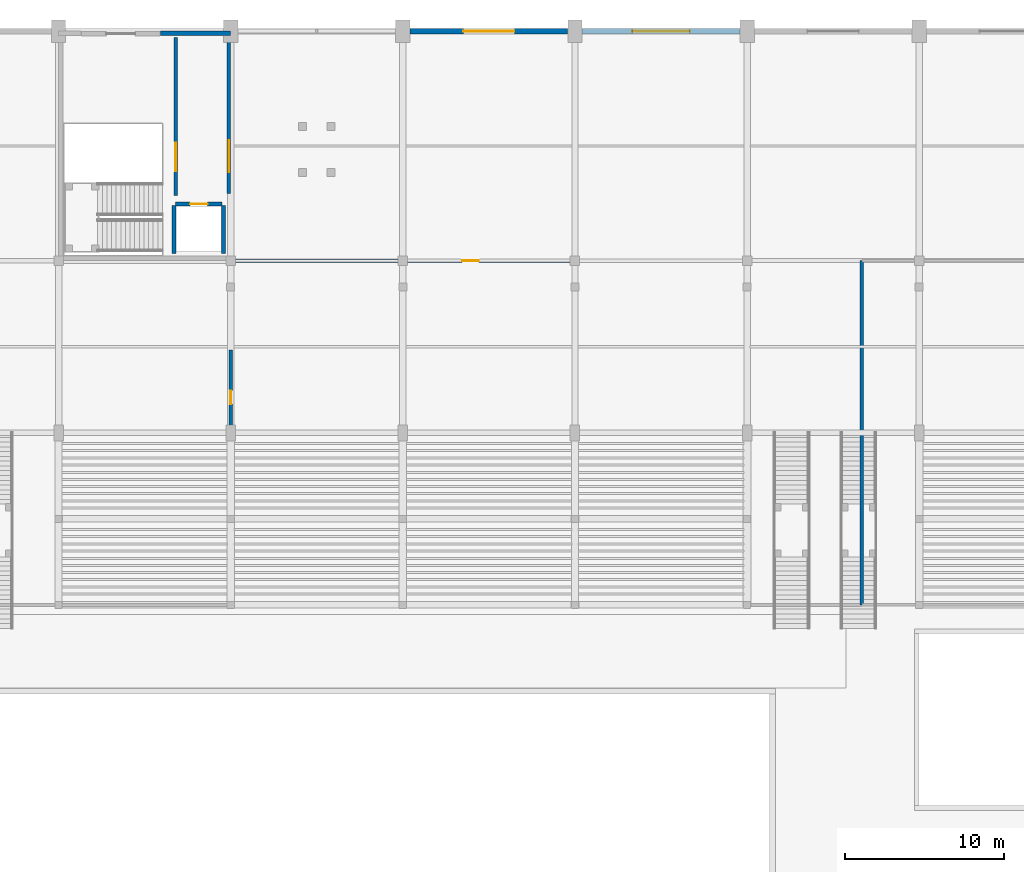
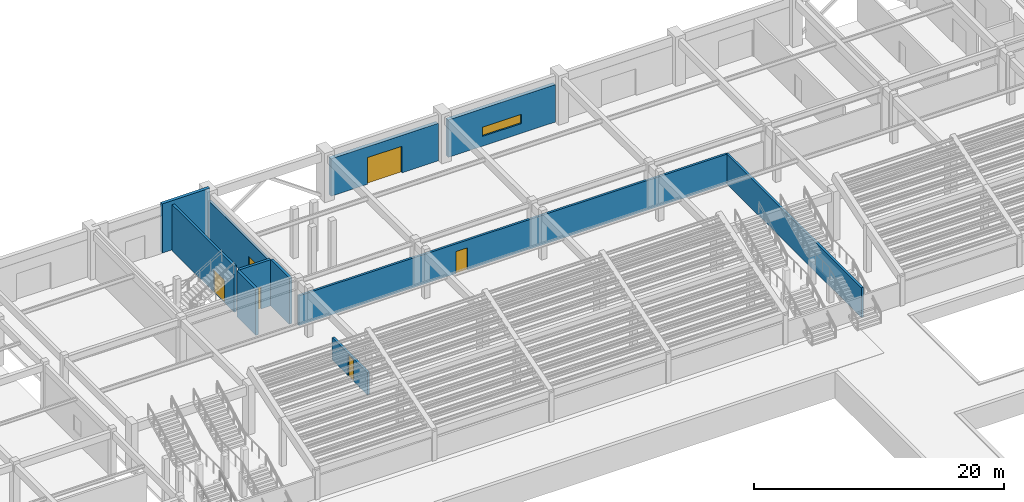
# One storey, part 55 of 82: 11 walls, 6 doors, 1 window, 7 openings.
"""IFC4 building model written with IfcOpenShell, lengths in metres."""

from ifc_helpers import new_model, si_unit, direction, frame, frame_2d, origin, place, context, subcontext, project, spatial, rectangle, extrude, material, layer, layer_set, type_object, element, fill, save


model = new_model("IFC4")

# Units and contexts
model_context = context("Model", 3, precision=1e-05, world=origin(), true_north=direction((0.0, 1.0)))
body_context = subcontext(model_context, "Body", "Model", "MODEL_VIEW")
ifc_project = project(units=[si_unit("LENGTHUNIT", "METRE"), si_unit("AREAUNIT", "SQUARE_METRE"), si_unit("VOLUMEUNIT", "CUBIC_METRE"), si_unit("PLANEANGLEUNIT", "RADIAN"), si_unit("MASSUNIT", "GRAM", prefix="KILO")], contexts=[model_context])

# Site, building, storey
site_placement = place(None, origin())
site = spatial("IfcSite", under=ifc_project, at=site_placement, CompositionType="ELEMENT")
building_placement = place(site_placement, origin())
building = spatial("IfcBuilding", under=site, at=building_placement, Name="Suirenkawa Promenade Aquatics Centre", CompositionType="ELEMENT")
storey_placement = place(building_placement, origin())
storey = spatial("IfcBuildingStorey", under=building, at=storey_placement, Name="L00", CompositionType="ELEMENT", Elevation=0.0)

# Wall, opening, door
ifc_material_1 = material(Name="Autoclaved aerated concrete blockwork Grade 1", Category="masonry")
ifc_layer_1 = layer(ifc_material_1, 0.199951171875, Name="Autoclaved aerated concrete blockwork Grade 1", Category="masonry")
ifc_layer_set_1 = layer_set([ifc_layer_1], Name="Autoclaved aerated concrete blockwork Grade 1")
wall_type_1 = type_object("IfcWallType", Name="WT-COMP-200", PredefinedType="PARTITIONING", material=ifc_layer_set_1)
wall_1_placement = place(storey_placement, frame((68.39990234375, 96.800048828125, 0.0), z_axis=(0.0, 0.0, 1.0), x_axis=(0.0, 1.0, 0.0)))
wall_1 = element("IfcWall", 1, at=wall_1_placement, inside=storey, type_object=wall_type_1, Name="Interior wall WL-PRT-01 W-7169", PredefinedType="PARTITIONING", context=body_context, shape_type="SweptSolid", body=[
    extrude(rectangle(XDim=5.599853515625, YDim=0.199951171875, at=frame_2d((2.7998046875, 0.0))), origin(), (0.0, 0.0, 1.0), 2.215087890625),
])
opening_1_placement = place(wall_1_placement, frame((2.199951171875, 0.0, 0.0)))
opening_1 = element("IfcOpeningElement", 2, at=opening_1_placement, cuts=wall_1, Name="Opening ID-13", PredefinedType="OPENING", context=body_context, shape_type="SweptSolid", body=[
    extrude(rectangle(XDim=0.85009765625, YDim=2.050048828125, at=frame_2d((0.425048828125, 1.02490234375))), frame((0.0, 0.10986328125, 0.0), z_axis=(0.0, -1.0, 0.0), x_axis=(1.0, 0.0, 0.0)), (0.0, 0.0, 1.0), 0.219970703125),
])
ifc_material_2 = material(Name="Steel IS 2062 E350 (Grade 350)", Category="steel")
door_type_1 = type_object("IfcDoorType", Name="DT-RISER-850x2050", OperationType="NOTDEFINED", PredefinedType="DOOR", material=ifc_material_2)
door_1_placement = place(opening_1_placement, origin())
door_1 = element("IfcDoor", 3, at=door_1_placement, inside=storey, type_object=door_type_1, Name="Interior door ID-13 DR-INT-0106", OperationType="SINGLE_SWING_LEFT", OverallHeight=2.050048828125, OverallWidth=0.85009765625, PredefinedType="DOOR", context=body_context, shape_type="SweptSolid", body=[
    extrude(rectangle(XDim=0.85009765625, YDim=2.050048828125, at=frame_2d((0.425048828125, 1.02490234375))), frame((0.0, 0.02490234375, 0.0), z_axis=(0.0, -1.0, 0.0), x_axis=(1.0, 0.0, 0.0)), (0.0, 0.0, 1.0), 0.050048828125),
])
fill(opening_1, door_1)

wall_2_placement = place(storey_placement, frame((68.39990234375, 108.0, 0.0), z_axis=(0.0, 0.0, 1.0), x_axis=(1.0, 0.0, 0.0)))
wall_2 = element("IfcWall", 4, at=wall_2_placement, inside=storey, type_object=wall_type_1, Name="Interior wall WL-PRT-01 W-7315", PredefinedType="PARTITIONING", context=body_context, shape_type="SweptSolid", body=[
    extrude(rectangle(XDim=39.60009765625, YDim=0.199951171875, at=frame_2d((19.800048828125, 0.0))), origin(), (0.0, 0.0, 1.0), 2.905029296875),
])
opening_2_placement = place(wall_2_placement, frame((14.52294921875, 0.0, 0.0)))
opening_2 = element("IfcOpeningElement", 5, at=opening_2_placement, cuts=wall_2, Name="Opening ID-04", PredefinedType="OPENING", context=body_context, shape_type="SweptSolid", body=[
    extrude(rectangle(XDim=1.050048828125, YDim=2.14990234375, at=frame_2d((0.52490234375, 1.074951171875))), frame((0.0, 0.10986328125, 0.0), z_axis=(0.0, -1.0, 0.0), x_axis=(1.0, 0.0, 0.0)), (0.0, 0.0, 1.0), 0.219970703125),
])
door_type_2 = type_object("IfcDoorType", Name="DT-FD120-1050x2150", OperationType="NOTDEFINED", PredefinedType="DOOR", material=ifc_material_2)
door_2_placement = place(opening_2_placement, origin())
door_2 = element("IfcDoor", 6, at=door_2_placement, inside=storey, type_object=door_type_2, Name="Interior door ID-04 DR-INT-0185", OperationType="SINGLE_SWING_RIGHT", OverallHeight=2.14990234375, OverallWidth=1.050048828125, PredefinedType="DOOR", context=body_context, shape_type="SweptSolid", body=[
    extrude(rectangle(XDim=1.050048828125, YDim=2.14990234375, at=frame_2d((0.52490234375, 1.074951171875))), frame((0.0, 0.02490234375, 0.0), z_axis=(0.0, -1.0, 0.0), x_axis=(1.0, 0.0, 0.0)), (0.0, 0.0, 1.0), 0.050048828125),
])
fill(opening_2, door_2)

# Walls
wall_3_placement = place(storey_placement, frame((108.0, 86.39990234375, 0.0), z_axis=(0.0, 0.0, 1.0), x_axis=(0.0, 1.0, 0.0)))
element("IfcWall", 7, at=wall_3_placement, inside=storey, type_object=wall_type_1, Name="Interior wall WL-PRT-01 W-7316", PredefinedType="PARTITIONING", context=body_context, shape_type="SweptSolid", body=[
    extrude(rectangle(XDim=21.60009765625, YDim=0.199951171875, at=frame_2d((10.800048828125, 0.0))), origin(), (0.0, 0.0, 1.0), 2.905029296875),
])
ifc_material_3 = material(Name="Concrete M40", Category="concrete")
ifc_layer_2 = layer(ifc_material_3, 0.280029296875, Name="Concrete M40", Category="concrete")
ifc_layer_set_2 = layer_set([ifc_layer_2], Name="Concrete M40")
wall_type_2 = type_object("IfcWallType", Name="WT-CORE-280", PredefinedType="SHEAR", material=ifc_layer_set_2)
wall_4_placement = place(storey_placement, frame((64.0, 122.260009765625, 0.0), z_axis=(0.0, 0.0, 1.0), x_axis=(1.0, 0.0, 0.0)))
element("IfcWall", 8, at=wall_4_placement, inside=storey, type_object=wall_type_2, Name="C3 north-east core wall WL-CORE-02 W-0115", PredefinedType="SHEAR", context=body_context, shape_type="SweptSolid", body=[
    extrude(rectangle(XDim=4.39990234375, YDim=0.280029296875, at=frame_2d((2.199951171875, 0.0))), origin(), (0.0, 0.0, 1.0), 4.800048828125),
])

# Wall, opening, door
ifc_layer_3 = layer(ifc_material_3, 0.340087890625, Name="Concrete M40", Category="concrete")
ifc_layer_set_3 = layer_set([ifc_layer_3], Name="Concrete M40")
wall_type_3 = type_object("IfcWallType", Name="WT-EXT-340", PredefinedType="SOLIDWALL", material=ifc_layer_set_3)
wall_5_placement = place(storey_placement, frame((79.655029296875, 122.39990234375, 0.0), z_axis=(0.0, 0.0, 1.0), x_axis=(1.0, 0.0, 0.0)))
wall_5 = element("IfcWall", 9, at=wall_5_placement, inside=storey, type_object=wall_type_3, Name="Exterior wall WL-EXT-01 W-5006", PredefinedType="SOLIDWALL", context=body_context, shape_type="SweptSolid", body=[
    extrude(rectangle(XDim=9.889892578125, YDim=0.340087890625, at=frame_2d((4.94482421875, 0.0))), origin(), (0.0, 0.0, 1.0), 3.655029296875),
])
opening_3_placement = place(wall_5_placement, frame((3.344970703125, 0.0, 0.0)))
opening_3 = element("IfcOpeningElement", 10, at=opening_3_placement, cuts=wall_5, Name="Opening ED-02", PredefinedType="OPENING", context=body_context, shape_type="SweptSolid", body=[
    extrude(rectangle(XDim=3.199951171875, YDim=2.60009765625, at=frame_2d((1.60009765625, 1.300048828125))), frame((0.0, 0.179931640625, 0.0), z_axis=(0.0, -1.0, 0.0), x_axis=(1.0, 0.0, 0.0)), (0.0, 0.0, 1.0), 0.360107421875),
])
ifc_material_4 = material(Name="Anodised aluminium 6063-T6", Category="aluminium")
door_type_3 = type_object("IfcDoorType", Name="DT-EXT-CONC-3200x2600", OperationType="DOUBLE_DOOR_SINGLE_SWING", PredefinedType="DOOR", material=ifc_material_4)
door_3_placement = place(opening_3_placement, origin())
door_3 = element("IfcDoor", 11, at=door_3_placement, inside=storey, type_object=door_type_3, Name="Exterior door ED-02 DR-EXT-005", OperationType="DOUBLE_DOOR_SINGLE_SWING", OverallHeight=2.60009765625, OverallWidth=3.199951171875, PredefinedType="DOOR", context=body_context, shape_type="SweptSolid", body=[
    extrude(rectangle(XDim=3.199951171875, YDim=2.60009765625, at=frame_2d((1.60009765625, 1.300048828125))), frame((0.0, 0.02490234375, 0.0), z_axis=(0.0, -1.0, 0.0), x_axis=(1.0, 0.0, 0.0)), (0.0, 0.0, 1.0), 0.050048828125),
])
fill(opening_3, door_3)

# Wall, opening, window
wall_6_placement = place(storey_placement, frame((90.455078125, 122.39990234375, 0.0), z_axis=(0.0, 0.0, 1.0), x_axis=(1.0, 0.0, 0.0)))
wall_6 = element("IfcWall", 12, at=wall_6_placement, inside=storey, type_object=wall_type_3, Name="Exterior wall WL-EXT-01 W-5008", PredefinedType="SOLIDWALL", context=body_context, shape_type="SweptSolid", body=[
    extrude(rectangle(XDim=9.889892578125, YDim=0.340087890625, at=frame_2d((4.94482421875, 0.0))), origin(), (0.0, 0.0, 1.0), 3.655029296875),
])
opening_4_placement = place(wall_6_placement, frame((3.14501953125, 0.0, 0.949951171875)))
opening_4 = element("IfcOpeningElement", 13, at=opening_4_placement, cuts=wall_6, Name="Opening WN-01", PredefinedType="OPENING", context=body_context, shape_type="SweptSolid", body=[
    extrude(rectangle(XDim=3.60009765625, YDim=0.89990234375, at=frame_2d((1.800048828125, 0.449951171875))), frame((0.0, 0.179931640625, 0.0), z_axis=(0.0, -1.0, 0.0), x_axis=(1.0, 0.0, 0.0)), (0.0, 0.0, 1.0), 0.360107421875),
])
ifc_material_5 = material(Name="Low-E thermally broken double glazing", Category="glass")
window_type = type_object("IfcWindowType", Name="WNT-RIB-3600x900", PartitioningType="SINGLE_PANEL", PredefinedType="WINDOW", material=ifc_material_5)
window_placement = place(opening_4_placement, origin())
window = element("IfcWindow", 14, at=window_placement, inside=storey, type_object=window_type, Name="Window WN-01 WN-0001", OverallHeight=0.89990234375, OverallWidth=3.60009765625, PartitioningType="SINGLE_PANEL", PredefinedType="WINDOW", context=body_context, shape_type="SweptSolid", body=[
    extrude(rectangle(XDim=3.60009765625, YDim=0.89990234375, at=frame_2d((1.800048828125, 0.449951171875))), frame((0.0, 0.030029296875, 0.0), z_axis=(0.0, -1.0, 0.0), x_axis=(1.0, 0.0, 0.0)), (0.0, 0.0, 1.0), 0.06005859375),
])
fill(opening_4, window)

# Wall, opening, door
ifc_material_6 = material(Name="Concrete M35", Category="concrete")
ifc_layer_4 = layer(ifc_material_6, 0.219970703125, Name="Concrete M35", Category="concrete")
ifc_layer_set_4 = layer_set([ifc_layer_4], Name="Concrete M35")
wall_type_4 = type_object("IfcWallType", Name="WT-LOBBY-220", PredefinedType="PARTITIONING", material=ifc_layer_set_4)
wall_7_placement = place(storey_placement, frame((64.949951171875, 112.10009765625, 0.0), z_axis=(0.0, 0.0, 1.0), x_axis=(0.0, 1.0, 0.0)))
wall_7 = element("IfcWall", 15, at=wall_7_placement, inside=storey, type_object=wall_type_4, Name="Interior wall WL-LOB-01 W-7077", PredefinedType="PARTITIONING", context=body_context, shape_type="SweptSolid", body=[
    extrude(rectangle(XDim=9.89990234375, YDim=0.219970703125, at=frame_2d((4.949951171875, 0.0))), origin(), (0.0, 0.0, 1.0), 4.5048828125),
])
opening_5_placement = place(wall_7_placement, frame((1.5, 0.0, 0.0)))
opening_5 = element("IfcOpeningElement", 16, at=opening_5_placement, cuts=wall_7, Name="Opening ID-02", PredefinedType="OPENING", context=body_context, shape_type="SweptSolid", body=[
    extrude(rectangle(XDim=1.800048828125, YDim=2.199951171875, at=frame_2d((0.89990234375, 1.10009765625))), frame((0.0, 0.119873046875, 0.0), z_axis=(0.0, -1.0, 0.0), x_axis=(1.0, 0.0, 0.0)), (0.0, 0.0, 1.0), 0.239990234375),
])
door_type_4 = type_object("IfcDoorType", Name="DT-FD120-1800x2200", OperationType="DOUBLE_DOOR_SINGLE_SWING", PredefinedType="DOOR", material=ifc_material_2)
door_4_placement = place(opening_5_placement, origin())
door_4 = element("IfcDoor", 17, at=door_4_placement, inside=storey, type_object=door_type_4, Name="Interior door ID-02 DR-INT-0051", OperationType="DOUBLE_DOOR_SINGLE_SWING", OverallHeight=2.199951171875, OverallWidth=1.800048828125, PredefinedType="DOOR", context=body_context, shape_type="SweptSolid", body=[
    extrude(rectangle(XDim=1.800048828125, YDim=2.199951171875, at=frame_2d((0.89990234375, 1.10009765625))), frame((0.0, 0.02490234375, 0.0), z_axis=(0.0, -1.0, 0.0), x_axis=(1.0, 0.0, 0.0)), (0.0, 0.0, 1.0), 0.050048828125),
])
fill(opening_5, door_4)

wall_8_placement = place(storey_placement, frame((68.2900390625, 112.199951171875, 0.0), z_axis=(0.0, 0.0, 1.0), x_axis=(0.0, 1.0, 0.0)))
wall_8 = element("IfcWall", 18, at=wall_8_placement, inside=storey, type_object=wall_type_4, Name="Interior wall WL-LOB-01 W-7081", PredefinedType="PARTITIONING", context=body_context, shape_type="SweptSolid", body=[
    extrude(rectangle(XDim=9.75, YDim=0.219970703125, at=frame_2d((4.875, 0.0))), origin(), (0.0, 0.0, 1.0), 3.7548828125),
])
opening_6_placement = place(wall_8_placement, frame((1.35009765625, 0.0, 0.0)))
opening_6 = element("IfcOpeningElement", 19, at=opening_6_placement, cuts=wall_8, Name="Opening ID-01", PredefinedType="OPENING", context=body_context, shape_type="SweptSolid", body=[
    extrude(rectangle(XDim=2.0, YDim=2.199951171875, at=frame_2d((1.0, 1.10009765625))), frame((0.0, 0.119873046875, 0.0), z_axis=(0.0, -1.0, 0.0), x_axis=(1.0, 0.0, 0.0)), (0.0, 0.0, 1.0), 0.239990234375),
])
door_type_5 = type_object("IfcDoorType", Name="DT-FD120-2000x2200", OperationType="DOUBLE_DOOR_SINGLE_SWING", PredefinedType="DOOR", material=ifc_material_2)
door_5_placement = place(opening_6_placement, origin())
door_5 = element("IfcDoor", 20, at=door_5_placement, inside=storey, type_object=door_type_5, Name="Interior door ID-01 DR-INT-0053", OperationType="DOUBLE_DOOR_SINGLE_SWING", OverallHeight=2.199951171875, OverallWidth=2.0, PredefinedType="DOOR", context=body_context, shape_type="SweptSolid", body=[
    extrude(rectangle(XDim=2.0, YDim=2.199951171875, at=frame_2d((1.0, 1.10009765625))), frame((0.0, 0.02490234375, 0.0), z_axis=(0.0, -1.0, 0.0), x_axis=(1.0, 0.0, 0.0)), (0.0, 0.0, 1.0), 0.050048828125),
])
fill(opening_6, door_5)

ifc_layer_5 = layer(ifc_material_3, 0.239990234375, Name="Concrete M40", Category="concrete")
ifc_layer_set_5 = layer_set([ifc_layer_5], Name="Concrete M40")
wall_type_5 = type_object("IfcWallType", Name="WT-SHAFT-240", PredefinedType="SOLIDWALL", material=ifc_layer_set_5)
wall_9_placement = place(storey_placement, frame((64.949951171875, 111.550048828125, 0.0), z_axis=(0.0, 0.0, 1.0), x_axis=(1.0, 0.0, 0.0)))
wall_9 = element("IfcWall", 21, at=wall_9_placement, inside=storey, type_object=wall_type_5, Name="Interior wall WL-SHF-01 W-7078", PredefinedType="SOLIDWALL", context=body_context, shape_type="SweptSolid", body=[
    extrude(rectangle(XDim=2.900146484375, YDim=0.239990234375, at=frame_2d((1.4501953125, 0.0))), origin(), (0.0, 0.0, 1.0), 4.5048828125),
])
opening_7_placement = place(wall_9_placement, frame((0.89990234375, 0.0, 0.0)))
opening_7 = element("IfcOpeningElement", 22, at=opening_7_placement, cuts=wall_9, Name="Opening LD-01", PredefinedType="OPENING", context=body_context, shape_type="SweptSolid", body=[
    extrude(rectangle(XDim=1.10009765625, YDim=2.14990234375, at=frame_2d((0.550048828125, 1.074951171875))), frame((0.0, 0.1298828125, 0.0), z_axis=(0.0, -1.0, 0.0), x_axis=(1.0, 0.0, 0.0)), (0.0, 0.0, 1.0), 0.260009765625),
])
ifc_material_7 = material(Name="Marine-grade stainless steel Grade 316L", Category="steel")
door_type_6 = type_object("IfcDoorType", Name="DT-LIFT-1100x2150", OperationType="DOUBLE_DOOR_SLIDING", PredefinedType="DOOR", material=ifc_material_7)
door_6_placement = place(opening_7_placement, origin())
door_6 = element("IfcDoor", 23, at=door_6_placement, inside=storey, type_object=door_type_6, Name="Landing door LD-01 DR-INT-0052", OperationType="DOUBLE_DOOR_SLIDING", OverallHeight=2.14990234375, OverallWidth=1.10009765625, PredefinedType="DOOR", context=body_context, shape_type="SweptSolid", body=[
    extrude(rectangle(XDim=1.10009765625, YDim=2.14990234375, at=frame_2d((0.550048828125, 1.074951171875))), frame((0.0, 0.02490234375, 0.0), z_axis=(0.0, -1.0, 0.0), x_axis=(1.0, 0.0, 0.0)), (0.0, 0.0, 1.0), 0.050048828125),
])
fill(opening_7, door_6)

# Walls
for number, where, z_axis, x_axis, name in (
    (24, (64.85009765625, 108.449951171875, 0.0), (0.0, 0.0, 1.0), (0.0, 1.0, 0.0), "Interior wall WL-SHF-01 W-7079"),
    (25, (67.949951171875, 108.449951171875, 0.0), (0.0, 0.0, 1.0), (0.0, 1.0, 0.0), "Interior wall WL-SHF-01 W-7080"),
):
    element("IfcWall", number, at=place(storey_placement, frame(where, z_axis=z_axis, x_axis=x_axis)), inside=storey, type_object=wall_type_5, Name=name, PredefinedType="SOLIDWALL", context=body_context, shape_type="SweptSolid", body=[
        extrude(rectangle(XDim=3.0, YDim=0.239990234375, at=frame_2d((1.5, 0.0))), origin(), (0.0, 0.0, 1.0), 4.5048828125),
    ])

save(model, "model.ifc")
